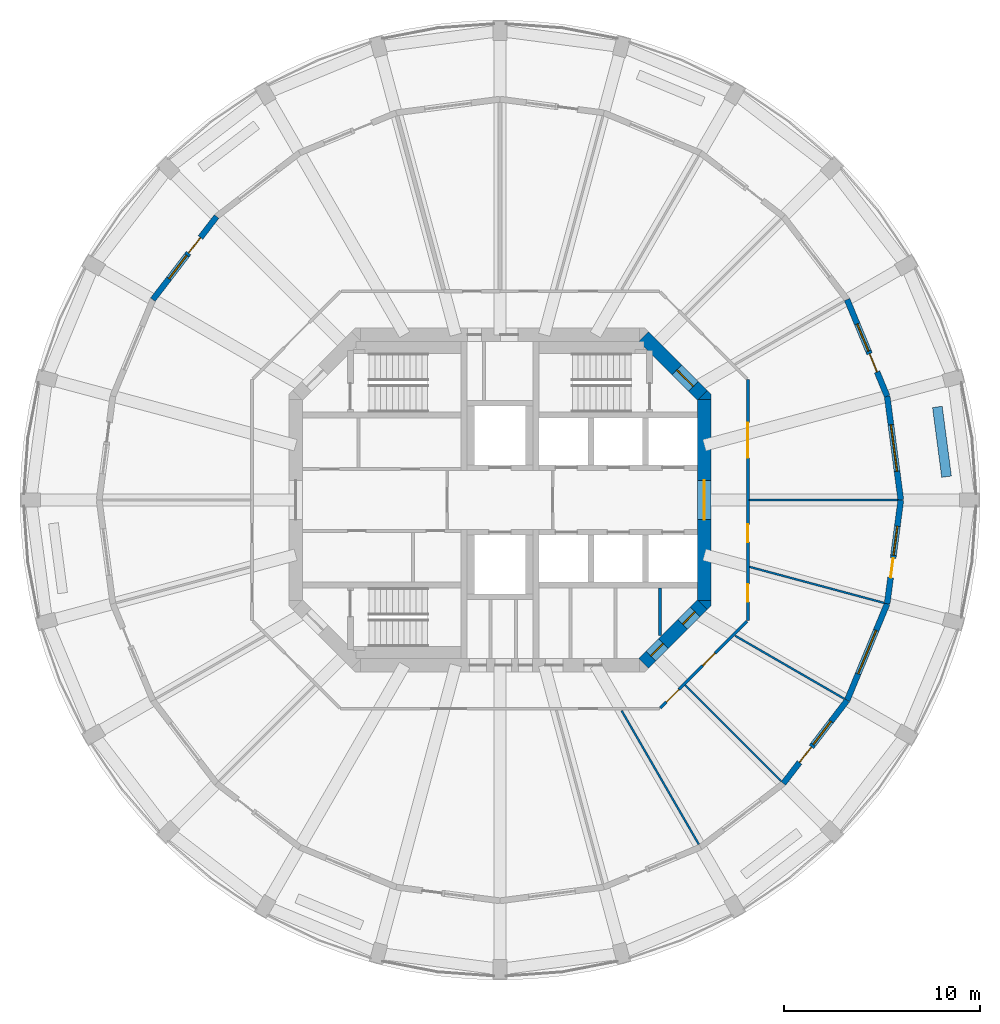
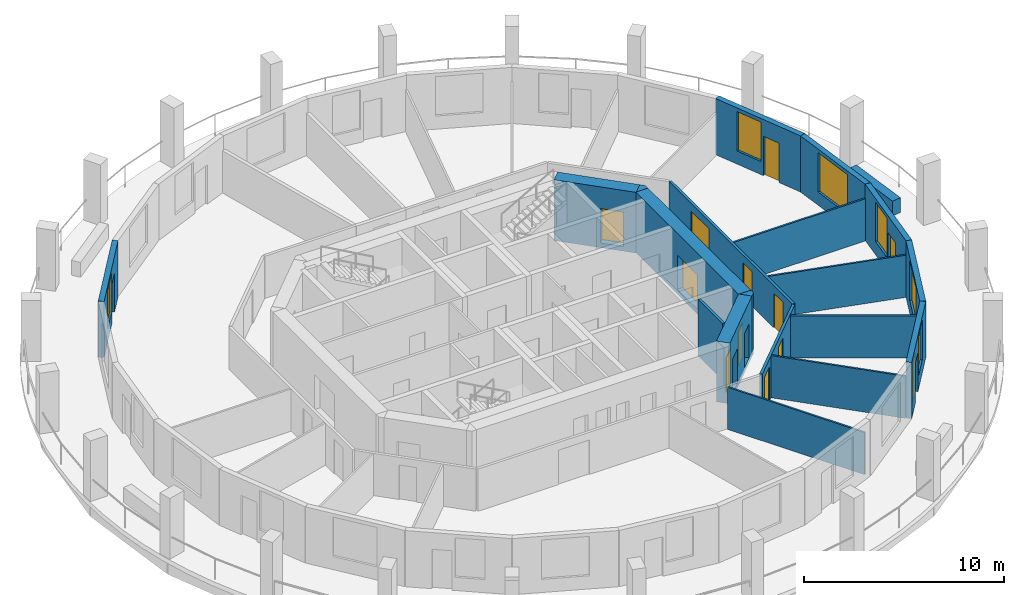
# One storey, part 5 of 9: 20 walls, 13 doors, 6 windows, 19 openings.
"""IFC4 building model written with IfcOpenShell, lengths in metres."""

from ifc_helpers import new_model, si_unit, direction, frame, frame_2d, origin, place, context, subcontext, project, spatial, polyline, rectangle, outline, extrude, material, layer, layer_set, type_object, element, fill, save


model = new_model("IFC4")

# Units and contexts
model_context = context("Model", 3, precision=1e-05, world=origin(), true_north=direction((0.0, 1.0)))
body_context = subcontext(model_context, "Body", "Model", "MODEL_VIEW")
ifc_project = project(units=[si_unit("LENGTHUNIT", "METRE"), si_unit("AREAUNIT", "SQUARE_METRE"), si_unit("VOLUMEUNIT", "CUBIC_METRE"), si_unit("PLANEANGLEUNIT", "RADIAN"), si_unit("MASSUNIT", "GRAM", prefix="KILO")], contexts=[model_context])

# Site, building, storey
site_placement = place(None, origin())
site = spatial("IfcSite", under=ifc_project, at=site_placement, CompositionType="ELEMENT")
building_placement = place(site_placement, origin())
building = spatial("IfcBuilding", under=site, at=building_placement, Name="Torre Triforio", CompositionType="ELEMENT")
storey_placement = place(building_placement, frame((0.0, 0.0, 233.5)))
storey = spatial("IfcBuildingStorey", under=building, at=storey_placement, Name="L53", CompositionType="ELEMENT", Elevation=233.5)

# Wall, opening, door
ifc_material_1 = material(Name="Concrete C50", Category="concrete")
ifc_layer_1 = layer(ifc_material_1, 0.699951171875)
ifc_layer_set_1 = layer_set([ifc_layer_1], Name="Concrete C50")
wall_type_1 = type_object("IfcWallType", Name="Core wall 700 mm C50 EI 120", PredefinedType="SHEAR", material=ifc_layer_set_1)
wall_1_placement = place(storey_placement, frame((10.449951171875, -5.1298828125, -0.280029296875), z_axis=(0.0, 0.0, 1.0), x_axis=(0.0, 1.0, 0.0)))
wall_1 = element("IfcWall", 1, at=wall_1_placement, inside=storey, type_object=wall_type_1, Name="Core wall", PredefinedType="SHEAR", context=body_context, shape_type="SweptSolid", body=[
    extrude(rectangle(XDim=10.259765625, YDim=0.699951171875, at=frame_2d((5.1298828125, 0.0))), origin(), (0.0, 0.0, 1.0), 3.699951171875),
])
opening_1_placement = place(wall_1_placement, frame((4.1298828125, 0.0, 0.280029296875)))
opening_1 = element("IfcOpeningElement", 2, at=opening_1_placement, cuts=wall_1, Name="Opening E-RING", PredefinedType="OPENING", context=body_context, shape_type="SweptSolid", body=[
    extrude(rectangle(XDim=2.0, YDim=2.10009765625, at=frame_2d((1.0, 1.050048828125))), frame((0.0, 0.35986328125, 0.0), z_axis=(0.0, -1.0, 0.0), x_axis=(1.0, 0.0, 0.0)), (0.0, 0.0, 1.0), 0.719970703125),
])
ifc_material_2 = material(Name="Hollow metal fire door leaf")
door_type_1 = type_object("IfcDoorType", Name="Lobby door 2000 x 2100 EI 60", OperationType="DOUBLE_DOOR_SINGLE_SWING", PredefinedType="DOOR", material=ifc_material_2)
door_1_placement = place(opening_1_placement, origin())
door_1 = element("IfcDoor", 3, at=door_1_placement, inside=storey, type_object=door_type_1, Name="Core door E-RING", OperationType="DOUBLE_DOOR_SINGLE_SWING", OverallHeight=2.10009765625, OverallWidth=2.0, PredefinedType="DOOR", context=body_context, shape_type="SweptSolid", body=[
    extrude(rectangle(XDim=2.0, YDim=2.10009765625, at=frame_2d((1.0, 1.050048828125))), frame((0.0, 0.02490234375, 0.0), z_axis=(0.0, -1.0, 0.0), x_axis=(1.0, 0.0, 0.0)), (0.0, 0.0, 1.0), 0.050048828125),
])
fill(opening_1, door_1)

wall_2_placement = place(storey_placement, frame((7.347412109375, 8.347412109375, -0.280029296875), z_axis=(0.0, 0.0, 1.0), x_axis=(0.707106781187, -0.707106781187, 0.0)))
wall_2 = element("IfcWall", 4, at=wall_2_placement, inside=storey, type_object=wall_type_1, Name="Core wall", PredefinedType="SHEAR", context=body_context, shape_type="SweptSolid", body=[
    extrude(rectangle(XDim=4.24267578125, YDim=0.699951171875, at=frame_2d((2.121337890625, 0.0))), origin(), (0.0, 0.0, 1.0), 3.699951171875),
])
opening_2_placement = place(wall_2_placement, frame((2.392578125, 0.0, 0.280029296875)))
opening_2 = element("IfcOpeningElement", 5, at=opening_2_placement, cuts=wall_2, Name="Opening ST2-EXIT", PredefinedType="OPENING", context=body_context, shape_type="SweptSolid", body=[
    extrude(rectangle(XDim=1.199951171875, YDim=2.10009765625, at=frame_2d((0.60009765625, 1.050048828125))), frame((0.0, 0.35986328125, 0.0), z_axis=(0.0, -1.0, 0.0), x_axis=(1.0, 0.0, 0.0)), (0.0, 0.0, 1.0), 0.719970703125),
])
door_type_2 = type_object("IfcDoorType", Name="Stair lobby door 1200 x 2100 EI 60", OperationType="NOTDEFINED", PredefinedType="DOOR", material=ifc_material_2)
door_2_placement = place(opening_2_placement, origin())
door_2 = element("IfcDoor", 6, at=door_2_placement, inside=storey, type_object=door_type_2, Name="Core door ST2-EXIT", OperationType="SINGLE_SWING_RIGHT", OverallHeight=2.10009765625, OverallWidth=1.199951171875, PredefinedType="DOOR", context=body_context, shape_type="SweptSolid", body=[
    extrude(rectangle(XDim=1.199951171875, YDim=2.10009765625, at=frame_2d((0.60009765625, 1.050048828125))), frame((0.0, 0.02490234375, 0.0), z_axis=(0.0, -1.0, 0.0), x_axis=(1.0, 0.0, 0.0)), (0.0, 0.0, 1.0), 0.050048828125),
])
fill(opening_2, door_2)

# Wall, openings, doors
wall_3_placement = place(storey_placement, frame((10.347412109375, -5.347412109375, -0.280029296875), z_axis=(0.0, 0.0, 1.0), x_axis=(-0.707106781187, -0.707106781187, 0.0)))
wall_3 = element("IfcWall", 7, at=wall_3_placement, inside=storey, type_object=wall_type_1, Name="Core wall", PredefinedType="SHEAR", context=body_context, shape_type="SweptSolid", body=[
    extrude(rectangle(XDim=4.24267578125, YDim=0.699951171875, at=frame_2d((2.121337890625, 0.0))), origin(), (0.0, 0.0, 1.0), 3.699951171875),
])
opening_3_placement = place(wall_3_placement, frame((2.82275390625, 0.0, 0.280029296875)))
opening_3 = element("IfcOpeningElement", 8, at=opening_3_placement, cuts=wall_3, Name="Opening SE-03", PredefinedType="OPENING", context=body_context, shape_type="SweptSolid", body=[
    extrude(rectangle(XDim=0.89990234375, YDim=2.10009765625, at=frame_2d((0.449951171875, 1.050048828125))), frame((0.0, 0.35986328125, 0.0), z_axis=(0.0, -1.0, 0.0), x_axis=(1.0, 0.0, 0.0)), (0.0, 0.0, 1.0), 0.719970703125),
])
opening_4_placement = place(wall_3_placement, frame((0.52001953125, 0.0, 0.280029296875)))
opening_4 = element("IfcOpeningElement", 9, at=opening_4_placement, cuts=wall_3, Name="Opening SE-04", PredefinedType="OPENING", context=body_context, shape_type="SweptSolid", body=[
    extrude(rectangle(XDim=0.89990234375, YDim=2.10009765625, at=frame_2d((0.449951171875, 1.050048828125))), frame((0.0, 0.35986328125, 0.0), z_axis=(0.0, -1.0, 0.0), x_axis=(1.0, 0.0, 0.0)), (0.0, 0.0, 1.0), 0.719970703125),
])
door_type_3 = type_object("IfcDoorType", Name="Room door 900 x 2100 EI 60", OperationType="NOTDEFINED", PredefinedType="DOOR", material=ifc_material_2)
door_3_placement = place(opening_3_placement, origin())
door_3 = element("IfcDoor", 10, at=door_3_placement, inside=storey, type_object=door_type_3, Name="Core door SE-03", OperationType="SINGLE_SWING_RIGHT", OverallHeight=2.10009765625, OverallWidth=0.89990234375, PredefinedType="DOOR", context=body_context, shape_type="SweptSolid", body=[
    extrude(rectangle(XDim=0.89990234375, YDim=2.10009765625, at=frame_2d((0.449951171875, 1.050048828125))), frame((0.0, 0.02490234375, 0.0), z_axis=(0.0, -1.0, 0.0), x_axis=(1.0, 0.0, 0.0)), (0.0, 0.0, 1.0), 0.050048828125),
])
fill(opening_3, door_3)
door_4_placement = place(opening_4_placement, origin())
door_4 = element("IfcDoor", 11, at=door_4_placement, inside=storey, type_object=door_type_3, Name="Core door SE-04", OperationType="SINGLE_SWING_LEFT", OverallHeight=2.10009765625, OverallWidth=0.89990234375, PredefinedType="DOOR", context=body_context, shape_type="SweptSolid", body=[
    extrude(rectangle(XDim=0.89990234375, YDim=2.10009765625, at=frame_2d((0.449951171875, 1.050048828125))), frame((0.0, 0.02490234375, 0.0), z_axis=(0.0, -1.0, 0.0), x_axis=(1.0, 0.0, 0.0)), (0.0, 0.0, 1.0), 0.050048828125),
])
fill(opening_4, door_4)

# Walls
wall_4_placement = place(storey_placement, frame((0.0, 0.0, -0.280029296875)))
element("IfcWall", 12, at=wall_4_placement, inside=storey, type_object=wall_type_1, Name="Core wall", PredefinedType="SHEAR", context=body_context, shape_type="SweptSolid", body=[
    extrude(outline(polyline([(10.800048828125, -5.389892578125), (10.594970703125, -5.594970703125), (10.594970703125, -5.594970703125), (10.594970703125, -5.594970703125), (10.1298828125, -5.1298828125), (10.800048828125, -5.1298828125), (10.800048828125, -5.1298828125), (10.800048828125, -5.389892578125)])), origin(), (0.0, 0.0, 1.0), 3.699951171875),
])
wall_5_placement = place(storey_placement, frame((0.0, 0.0, -0.280029296875)))
element("IfcWall", 13, at=wall_5_placement, inside=storey, type_object=wall_type_1, Name="Core wall", PredefinedType="SHEAR", context=body_context, shape_type="SweptSolid", body=[
    extrude(outline(polyline([(10.800048828125, 5.389892578125), (10.800048828125, 5.1298828125), (10.800048828125, 5.1298828125), (10.1298828125, 5.1298828125), (10.594970703125, 5.594970703125), (10.594970703125, 5.594970703125), (10.594970703125, 5.594970703125), (10.800048828125, 5.389892578125)])), origin(), (0.0, 0.0, 1.0), 3.699951171875),
])

# Wall, openings, doors
ifc_material_3 = material(Name="Plasterboard on metal studs")
ifc_layer_2 = layer(ifc_material_3, 0.14990234375)
ifc_layer_set_2 = layer_set([ifc_layer_2], Name="Plasterboard on metal studs")
wall_type_2 = type_object("IfcWallType", Name="Corridor and tenancy wall 150 mm EI 60", PredefinedType="PARTITIONING", material=ifc_layer_set_2)
wall_6_placement = place(storey_placement, frame((12.637939453125, -6.20361328125, 0.0), z_axis=(0.0, 0.0, 1.0), x_axis=(-0.707106781187, -0.707106781187, 0.0)))
wall_6 = element("IfcWall", 14, at=wall_6_placement, inside=storey, type_object=wall_type_2, Name="Partition 1", PredefinedType="PARTITIONING", context=body_context, shape_type="SweptSolid", body=[
    extrude(rectangle(XDim=6.27099609375, YDim=0.14990234375, at=frame_2d((3.135498046875, 0.0))), origin(), (0.0, 0.0, 1.0), 2.570068359375),
])
opening_5_placement = place(wall_6_placement, frame((4.935302734375, 0.0, 0.0)))
opening_5 = element("IfcOpeningElement", 15, at=opening_5_placement, cuts=wall_6, Name="Opening O7-07", PredefinedType="OPENING", context=body_context, shape_type="SweptSolid", body=[
    extrude(rectangle(XDim=0.89990234375, YDim=2.10009765625, at=frame_2d((0.449951171875, 1.050048828125))), frame((0.0, 0.0849609375, 0.0), z_axis=(0.0, -1.0, 0.0), x_axis=(1.0, 0.0, 0.0)), (0.0, 0.0, 1.0), 0.169921875),
])
opening_6_placement = place(wall_6_placement, frame((2.313720703125, 0.0, 0.0)))
opening_6 = element("IfcOpeningElement", 16, at=opening_6_placement, cuts=wall_6, Name="Opening O7-08", PredefinedType="OPENING", context=body_context, shape_type="SweptSolid", body=[
    extrude(rectangle(XDim=0.89990234375, YDim=2.10009765625, at=frame_2d((0.449951171875, 1.050048828125))), frame((0.0, 0.0849609375, 0.0), z_axis=(0.0, -1.0, 0.0), x_axis=(1.0, 0.0, 0.0)), (0.0, 0.0, 1.0), 0.169921875),
])
ifc_material_4 = material(Name="Timber", Category="wood")
door_type_4 = type_object("IfcDoorType", Name="Door 900 x 2100 single leaf EI 30", OperationType="NOTDEFINED", PredefinedType="DOOR", material=ifc_material_4)
door_5_placement = place(opening_5_placement, origin())
door_5 = element("IfcDoor", 17, at=door_5_placement, inside=storey, type_object=door_type_4, Name="Door O7-07", OperationType="SINGLE_SWING_LEFT", OverallHeight=2.10009765625, OverallWidth=0.89990234375, PredefinedType="DOOR", context=body_context, shape_type="SweptSolid", body=[
    extrude(rectangle(XDim=0.89990234375, YDim=2.10009765625, at=frame_2d((0.449951171875, 1.050048828125))), frame((0.0, 0.02490234375, 0.0), z_axis=(0.0, -1.0, 0.0), x_axis=(1.0, 0.0, 0.0)), (0.0, 0.0, 1.0), 0.050048828125),
])
fill(opening_5, door_5)
door_6_placement = place(opening_6_placement, origin())
door_6 = element("IfcDoor", 18, at=door_6_placement, inside=storey, type_object=door_type_4, Name="Door O7-08", OperationType="SINGLE_SWING_LEFT", OverallHeight=2.10009765625, OverallWidth=0.89990234375, PredefinedType="DOOR", context=body_context, shape_type="SweptSolid", body=[
    extrude(rectangle(XDim=0.89990234375, YDim=2.10009765625, at=frame_2d((0.449951171875, 1.050048828125))), frame((0.0, 0.02490234375, 0.0), z_axis=(0.0, -1.0, 0.0), x_axis=(1.0, 0.0, 0.0)), (0.0, 0.0, 1.0), 0.050048828125),
])
fill(opening_6, door_6)

wall_7_placement = place(storey_placement, frame((12.675048828125, 6.16650390625, 0.0), z_axis=(0.0, 0.0, 1.0), x_axis=(0.0, -1.0, 0.0)))
wall_7 = element("IfcWall", 19, at=wall_7_placement, inside=storey, type_object=wall_type_2, Name="Partition 10", PredefinedType="PARTITIONING", context=body_context, shape_type="SweptSolid", body=[
    extrude(rectangle(XDim=12.3330078125, YDim=0.14990234375, at=frame_2d((6.16650390625, 0.0))), origin(), (0.0, 0.0, 1.0), 2.570068359375),
])
opening_7_placement = place(wall_7_placement, frame((10.47314453125, 0.0, 0.0)))
opening_7 = element("IfcOpeningElement", 20, at=opening_7_placement, cuts=wall_7, Name="Opening O7-09", PredefinedType="OPENING", context=body_context, shape_type="SweptSolid", body=[
    extrude(rectangle(XDim=0.89990234375, YDim=2.10009765625, at=frame_2d((0.449951171875, 1.050048828125))), frame((0.0, 0.0849609375, 0.0), z_axis=(0.0, -1.0, 0.0), x_axis=(1.0, 0.0, 0.0)), (0.0, 0.0, 1.0), 0.169921875),
])
opening_8_placement = place(wall_7_placement, frame((7.41552734375, 0.0, 0.0)))
opening_8 = element("IfcOpeningElement", 21, at=opening_8_placement, cuts=wall_7, Name="Opening O7-10", PredefinedType="OPENING", context=body_context, shape_type="SweptSolid", body=[
    extrude(rectangle(XDim=0.89990234375, YDim=2.10009765625, at=frame_2d((0.449951171875, 1.050048828125))), frame((0.0, 0.0849609375, 0.0), z_axis=(0.0, -1.0, 0.0), x_axis=(1.0, 0.0, 0.0)), (0.0, 0.0, 1.0), 0.169921875),
])
opening_9_placement = place(wall_7_placement, frame((2.208251953125, 0.0, 0.0)))
opening_9 = element("IfcOpeningElement", 22, at=opening_9_placement, cuts=wall_7, Name="Opening O7-11", PredefinedType="OPENING", context=body_context, shape_type="SweptSolid", body=[
    extrude(rectangle(XDim=1.800048828125, YDim=2.10009765625, at=frame_2d((0.89990234375, 1.050048828125))), frame((0.0, 0.0849609375, 0.0), z_axis=(0.0, -1.0, 0.0), x_axis=(1.0, 0.0, 0.0)), (0.0, 0.0, 1.0), 0.169921875),
])
door_type_5 = type_object("IfcDoorType", Name="Door 1800 x 2100 double leaf EI 30", OperationType="DOUBLE_DOOR_SINGLE_SWING", PredefinedType="DOOR", material=ifc_material_4)
door_7_placement = place(opening_9_placement, origin())
door_7 = element("IfcDoor", 23, at=door_7_placement, inside=storey, type_object=door_type_5, Name="Door O7-11", OperationType="DOUBLE_DOOR_SINGLE_SWING", OverallHeight=2.10009765625, OverallWidth=1.800048828125, PredefinedType="DOOR", context=body_context, shape_type="SweptSolid", body=[
    extrude(rectangle(XDim=1.800048828125, YDim=2.10009765625, at=frame_2d((0.89990234375, 1.050048828125))), frame((0.0, 0.02490234375, 0.0), z_axis=(0.0, -1.0, 0.0), x_axis=(1.0, 0.0, 0.0)), (0.0, 0.0, 1.0), 0.050048828125),
])
fill(opening_9, door_7)
door_8_placement = place(opening_7_placement, origin())
door_8 = element("IfcDoor", 24, at=door_8_placement, inside=storey, type_object=door_type_4, Name="Door O7-09", OperationType="SINGLE_SWING_RIGHT", OverallHeight=2.10009765625, OverallWidth=0.89990234375, PredefinedType="DOOR", context=body_context, shape_type="SweptSolid", body=[
    extrude(rectangle(XDim=0.89990234375, YDim=2.10009765625, at=frame_2d((0.449951171875, 1.050048828125))), frame((0.0, 0.02490234375, 0.0), z_axis=(0.0, -1.0, 0.0), x_axis=(1.0, 0.0, 0.0)), (0.0, 0.0, 1.0), 0.050048828125),
])
fill(opening_7, door_8)
door_9_placement = place(opening_8_placement, origin())
door_9 = element("IfcDoor", 25, at=door_9_placement, inside=storey, type_object=door_type_4, Name="Door O7-10", OperationType="SINGLE_SWING_LEFT", OverallHeight=2.10009765625, OverallWidth=0.89990234375, PredefinedType="DOOR", context=body_context, shape_type="SweptSolid", body=[
    extrude(rectangle(XDim=0.89990234375, YDim=2.10009765625, at=frame_2d((0.449951171875, 1.050048828125))), frame((0.0, 0.02490234375, 0.0), z_axis=(0.0, -1.0, 0.0), x_axis=(1.0, 0.0, 0.0)), (0.0, 0.0, 1.0), 0.050048828125),
])
fill(opening_8, door_9)

# Walls
ifc_layer_3 = layer(ifc_material_3, 0.10009765625)
ifc_layer_set_3 = layer_set([ifc_layer_3], Name="Plasterboard on metal studs")
wall_type_3 = type_object("IfcWallType", Name="Partition 100 mm board on metal studs", PredefinedType="PARTITIONING", material=ifc_layer_set_3)
wall_8_placement = place(storey_placement, frame((12.75, 0.0, 0.0), z_axis=(0.0, 0.0, 1.0), x_axis=(1.0, 0.0, 0.0)))
element("IfcWall", 26, at=wall_8_placement, inside=storey, type_object=wall_type_3, Name="Partition 11", PredefinedType="PARTITIONING", context=body_context, shape_type="SweptSolid", body=[
    extrude(rectangle(XDim=7.586669921875, YDim=0.10009765625, at=frame_2d((3.79345703125, 0.0))), origin(), (0.0, 0.0, 1.0), 2.570068359375),
])
wall_9_placement = place(storey_placement, frame((6.220703125, -10.774658203125, 0.0), z_axis=(0.0, 0.0, 1.0), x_axis=(0.500016891966, -0.866015650984, 0.0)))
element("IfcWall", 27, at=wall_9_placement, inside=storey, type_object=wall_type_3, Name="Partition 23", PredefinedType="PARTITIONING", context=body_context, shape_type="SweptSolid", body=[
    extrude(rectangle(XDim=7.895263671875, YDim=0.10009765625, at=frame_2d((3.94775390625, 0.0))), origin(), (0.0, 0.0, 1.0), 2.570068359375),
])
wall_10_placement = place(storey_placement, frame((9.473876953125, -9.473876953125, 0.0), z_axis=(0.0, 0.0, 1.0), x_axis=(0.707106781187, -0.707106781187, 0.0)))
element("IfcWall", 28, at=wall_10_placement, inside=storey, type_object=wall_type_3, Name="Partition 24", PredefinedType="PARTITIONING", context=body_context, shape_type="SweptSolid", body=[
    extrude(rectangle(XDim=6.9384765625, YDim=0.10009765625, at=frame_2d((3.46923828125, 0.0))), origin(), (0.0, 0.0, 1.0), 2.570068359375),
])
wall_11_placement = place(storey_placement, frame((12.025146484375, -6.94287109375, 0.0), z_axis=(0.0, 0.0, 1.0), x_axis=(0.866026773083, -0.499997628298, 0.0)))
element("IfcWall", 29, at=wall_11_placement, inside=storey, type_object=wall_type_3, Name="Partition 25", PredefinedType="PARTITIONING", context=body_context, shape_type="SweptSolid", body=[
    extrude(rectangle(XDim=6.451171875, YDim=0.10009765625, at=frame_2d((3.2255859375, 0.0))), origin(), (0.0, 0.0, 1.0), 2.570068359375),
])
wall_12_placement = place(storey_placement, frame((12.764404296875, -3.420166015625, 0.0), z_axis=(0.0, 0.0, 1.0), x_axis=(0.965928160208, -0.258810334643, 0.0)))
element("IfcWall", 30, at=wall_12_placement, inside=storey, type_object=wall_type_3, Name="Partition 26", PredefinedType="PARTITIONING", context=body_context, shape_type="SweptSolid", body=[
    extrude(rectangle(XDim=7.1220703125, YDim=0.10009765625, at=frame_2d((3.56103515625, 0.0))), origin(), (0.0, 0.0, 1.0), 2.570068359375),
])
ifc_material_5 = material(Name="Block and board partition")
ifc_layer_4 = layer(ifc_material_5, 0.14990234375)
ifc_layer_set_4 = layer_set([ifc_layer_4], Name="Block and board partition")
wall_type_4 = type_object("IfcWallType", Name="Partition 150 mm", PredefinedType="PARTITIONING", material=ifc_layer_set_4)
wall_13_placement = place(storey_placement, frame((8.18896484375, -6.93603515625, 0.0), z_axis=(0.0, 0.0, 1.0), x_axis=(0.0, 1.0, 0.0)))
element("IfcWall", 31, at=wall_13_placement, inside=storey, type_object=wall_type_4, Name="Partition", PredefinedType="PARTITIONING", context=body_context, shape_type="SweptSolid", body=[
    extrude(rectangle(XDim=2.43603515625, YDim=0.14990234375, at=frame_2d((1.218017578125, 0.0))), origin(), (0.0, 0.0, 1.0), 3.419921875),
])
ifc_material_6 = material(Name="Limestone cladding", Category="masonry")
ifc_layer_5 = layer(ifc_material_6, 0.10009765625)
ifc_material_7 = material(Name="Concrete C40", Category="concrete")
ifc_layer_6 = layer(ifc_material_7, 0.39990234375)
ifc_layer_set_5 = layer_set([ifc_layer_5, ifc_layer_6], Name="Limestone cladding / Concrete C40")
wall_type_5 = type_object("IfcWallType", Name="Planter wall 500", PredefinedType="PARAPET", material=ifc_layer_set_5)
wall_14_placement = place(storey_placement, frame((22.83984375, 1.19140625, 0.0), z_axis=(0.0, 0.0, 1.0), x_axis=(-0.130484336385, 0.9914503709, 0.0)))
element("IfcWall", 32, at=wall_14_placement, inside=storey, type_object=wall_type_5, Name="Planter L53 bay 01", PredefinedType="PARAPET", context=body_context, shape_type="SweptSolid", body=[
    extrude(rectangle(XDim=3.599853515625, YDim=0.5, at=frame_2d((1.7998046875, 0.0))), origin(), (0.0, 0.0, 1.0), 0.89990234375),
])

# Wall, opening, window
ifc_layer_7 = layer(ifc_material_6, 0.10009765625)
ifc_layer_8 = layer(ifc_material_7, 0.199951171875)
ifc_layer_set_6 = layer_set([ifc_layer_7, ifc_layer_8], Name="Limestone cladding / Concrete C40")
wall_type_6 = type_object("IfcWallType", Name="Stone-faced composite wall 300", PredefinedType="STANDARD", material=ifc_layer_set_6)
wall_15_placement = place(storey_placement, frame((20.5, 0.0, 0.0), z_axis=(0.0, 0.0, 1.0), x_axis=(-0.130517056518, 0.991446064069, 0.0)))
wall_15 = element("IfcWall", 33, at=wall_15_placement, inside=storey, type_object=wall_type_6, Name="External wall L53 bay 01", PredefinedType="STANDARD", context=body_context, shape_type="SweptSolid", body=[
    extrude(rectangle(XDim=5.351806640625, YDim=0.300048828125, at=frame_2d((2.67578125, 0.0))), origin(), (0.0, 0.0, 1.0), 3.419921875),
])
opening_10_placement = place(wall_15_placement, frame((1.475830078125, 0.0, 0.800048828125)))
opening_10 = element("IfcOpeningElement", 34, at=opening_10_placement, cuts=wall_15, Name="Opening O7-W01", PredefinedType="OPENING", context=body_context, shape_type="SweptSolid", body=[
    extrude(rectangle(XDim=2.39990234375, YDim=2.39990234375, at=frame_2d((1.199951171875, 1.199951171875))), frame((0.0, 0.159912109375, 0.0), z_axis=(0.0, -1.0, 0.0), x_axis=(1.0, 0.0, 0.0)), (0.0, 0.0, 1.0), 0.320068359375),
])
ifc_material_8 = material(Name="Aluminium frame with clear double glazing", Category="aluminium")
window_type_1 = type_object("IfcWindowType", Name="Punched window 2400 x 2400", PartitioningType="DOUBLE_PANEL_VERTICAL", PredefinedType="WINDOW", material=ifc_material_8)
window_1_placement = place(opening_10_placement, origin())
window_1 = element("IfcWindow", 35, at=window_1_placement, inside=storey, type_object=window_type_1, Name="Window EWN4 L53 bay 01", OverallHeight=2.39990234375, OverallWidth=2.39990234375, PartitioningType="SINGLE_PANEL", PredefinedType="WINDOW", context=body_context, shape_type="SweptSolid", body=[
    extrude(rectangle(XDim=2.39990234375, YDim=2.39990234375, at=frame_2d((1.199951171875, 1.199951171875))), frame((0.0, 0.030029296875, 0.0), z_axis=(0.0, -1.0, 0.0), x_axis=(1.0, 0.0, 0.0)), (0.0, 0.0, 1.0), 0.06005859375),
])
fill(opening_10, window_1)

# Wall, openings, door, window
wall_16_placement = place(storey_placement, frame((19.801513671875, 5.305908203125, 0.0), z_axis=(0.0, 0.0, 1.0), x_axis=(-0.382713071139, 0.923867255172, 0.0)))
wall_16 = element("IfcWall", 36, at=wall_16_placement, inside=storey, type_object=wall_type_6, Name="External wall L53 bay 02", PredefinedType="STANDARD", context=body_context, shape_type="SweptSolid", body=[
    extrude(rectangle(XDim=5.3515625, YDim=0.300048828125, at=frame_2d((2.67578125, 0.0))), origin(), (0.0, 0.0, 1.0), 3.419921875),
])
opening_11_placement = place(wall_16_placement, frame((1.350830078125, 0.0, 0.0)))
opening_11 = element("IfcOpeningElement", 37, at=opening_11_placement, cuts=wall_16, Name="Opening O7-D02", PredefinedType="OPENING", context=body_context, shape_type="SweptSolid", body=[
    extrude(rectangle(XDim=1.0, YDim=2.39990234375, at=frame_2d((0.5, 1.199951171875))), frame((0.0, 0.159912109375, 0.0), z_axis=(0.0, -1.0, 0.0), x_axis=(1.0, 0.0, 0.0)), (0.0, 0.0, 1.0), 0.320068359375),
])
opening_12_placement = place(wall_16_placement, frame((2.500732421875, 0.0, 0.800048828125)))
opening_12 = element("IfcOpeningElement", 38, at=opening_12_placement, cuts=wall_16, Name="Opening O7-W02A", PredefinedType="OPENING", context=body_context, shape_type="SweptSolid", body=[
    extrude(rectangle(XDim=1.5, YDim=2.39990234375, at=frame_2d((0.75, 1.199951171875))), frame((0.0, 0.159912109375, 0.0), z_axis=(0.0, -1.0, 0.0), x_axis=(1.0, 0.0, 0.0)), (0.0, 0.0, 1.0), 0.320068359375),
])
door_type_6 = type_object("IfcDoorType", Name="Loggia door 1000 x 2400", OperationType="NOTDEFINED", PredefinedType="DOOR", material=ifc_material_8)
door_10_placement = place(opening_11_placement, origin())
door_10 = element("IfcDoor", 39, at=door_10_placement, inside=storey, type_object=door_type_6, Name="Loggia door L53 bay 02", OperationType="SINGLE_SWING_LEFT", OverallHeight=2.39990234375, OverallWidth=1.0, PredefinedType="DOOR", context=body_context, shape_type="SweptSolid", body=[
    extrude(rectangle(XDim=1.0, YDim=2.39990234375, at=frame_2d((0.5, 1.199951171875))), frame((0.0, 0.02490234375, 0.0), z_axis=(0.0, -1.0, 0.0), x_axis=(1.0, 0.0, 0.0)), (0.0, 0.0, 1.0), 0.050048828125),
])
fill(opening_11, door_10)
window_type_2 = type_object("IfcWindowType", Name="Side window 1500 x 2400", PartitioningType="SINGLE_PANEL", PredefinedType="WINDOW", material=ifc_material_8)
window_2_placement = place(opening_12_placement, origin())
window_2 = element("IfcWindow", 40, at=window_2_placement, inside=storey, type_object=window_type_2, Name="Side window EWN14 L53 bay 02", OverallHeight=2.39990234375, OverallWidth=1.5, PartitioningType="SINGLE_PANEL", PredefinedType="WINDOW", context=body_context, shape_type="SweptSolid", body=[
    extrude(rectangle(XDim=1.5, YDim=2.39990234375, at=frame_2d((0.75, 1.199951171875))), frame((0.0, 0.030029296875, 0.0), z_axis=(0.0, -1.0, 0.0), x_axis=(1.0, 0.0, 0.0)), (0.0, 0.0, 1.0), 0.06005859375),
])
fill(opening_12, window_2)

wall_17_placement = place(storey_placement, frame((-14.49560546875, 14.49560546875, 0.0), z_axis=(0.0, 0.0, 1.0), x_axis=(-0.60876670321, -0.793349293227, 0.0)))
wall_17 = element("IfcWall", 41, at=wall_17_placement, inside=storey, type_object=wall_type_6, Name="External wall L53 bay 10", PredefinedType="STANDARD", context=body_context, shape_type="SweptSolid", body=[
    extrude(rectangle(XDim=5.3515625, YDim=0.300048828125, at=frame_2d((2.67578125, 0.0))), origin(), (0.0, 0.0, 1.0), 3.419921875),
])
opening_13_placement = place(wall_17_placement, frame((1.350830078125, 0.0, 0.0)))
opening_13 = element("IfcOpeningElement", 42, at=opening_13_placement, cuts=wall_17, Name="Opening O7-D10", PredefinedType="OPENING", context=body_context, shape_type="SweptSolid", body=[
    extrude(rectangle(XDim=1.0, YDim=2.39990234375, at=frame_2d((0.5, 1.199951171875))), frame((0.0, 0.159912109375, 0.0), z_axis=(0.0, -1.0, 0.0), x_axis=(1.0, 0.0, 0.0)), (0.0, 0.0, 1.0), 0.320068359375),
])
opening_14_placement = place(wall_17_placement, frame((2.500732421875, 0.0, 0.800048828125)))
opening_14 = element("IfcOpeningElement", 43, at=opening_14_placement, cuts=wall_17, Name="Opening O7-W10A", PredefinedType="OPENING", context=body_context, shape_type="SweptSolid", body=[
    extrude(rectangle(XDim=1.5, YDim=2.39990234375, at=frame_2d((0.75, 1.199951171875))), frame((0.0, 0.159912109375, 0.0), z_axis=(0.0, -1.0, 0.0), x_axis=(1.0, 0.0, 0.0)), (0.0, 0.0, 1.0), 0.320068359375),
])
door_11_placement = place(opening_13_placement, origin())
door_11 = element("IfcDoor", 44, at=door_11_placement, inside=storey, type_object=door_type_6, Name="Loggia door L53 bay 10", OperationType="SINGLE_SWING_LEFT", OverallHeight=2.39990234375, OverallWidth=1.0, PredefinedType="DOOR", context=body_context, shape_type="SweptSolid", body=[
    extrude(rectangle(XDim=1.0, YDim=2.39990234375, at=frame_2d((0.5, 1.199951171875))), frame((0.0, 0.02490234375, 0.0), z_axis=(0.0, -1.0, 0.0), x_axis=(1.0, 0.0, 0.0)), (0.0, 0.0, 1.0), 0.050048828125),
])
fill(opening_13, door_11)
window_3_placement = place(opening_14_placement, origin())
window_3 = element("IfcWindow", 45, at=window_3_placement, inside=storey, type_object=window_type_2, Name="Side window EWN14 L53 bay 10", OverallHeight=2.39990234375, OverallWidth=1.5, PartitioningType="SINGLE_PANEL", PredefinedType="WINDOW", context=body_context, shape_type="SweptSolid", body=[
    extrude(rectangle(XDim=1.5, YDim=2.39990234375, at=frame_2d((0.75, 1.199951171875))), frame((0.0, 0.030029296875, 0.0), z_axis=(0.0, -1.0, 0.0), x_axis=(1.0, 0.0, 0.0)), (0.0, 0.0, 1.0), 0.06005859375),
])
fill(opening_14, window_3)

wall_18_placement = place(storey_placement, frame((14.49560546875, -14.49560546875, 0.0), z_axis=(0.0, 0.0, 1.0), x_axis=(0.60876670321, 0.793349293227, 0.0)))
wall_18 = element("IfcWall", 46, at=wall_18_placement, inside=storey, type_object=wall_type_6, Name="External wall L53 bay 22", PredefinedType="STANDARD", context=body_context, shape_type="SweptSolid", body=[
    extrude(rectangle(XDim=5.3515625, YDim=0.300048828125, at=frame_2d((2.67578125, 0.0))), origin(), (0.0, 0.0, 1.0), 3.419921875),
])
opening_15_placement = place(wall_18_placement, frame((1.350830078125, 0.0, 0.0)))
opening_15 = element("IfcOpeningElement", 47, at=opening_15_placement, cuts=wall_18, Name="Opening O7-D22", PredefinedType="OPENING", context=body_context, shape_type="SweptSolid", body=[
    extrude(rectangle(XDim=1.0, YDim=2.39990234375, at=frame_2d((0.5, 1.199951171875))), frame((0.0, 0.159912109375, 0.0), z_axis=(0.0, -1.0, 0.0), x_axis=(1.0, 0.0, 0.0)), (0.0, 0.0, 1.0), 0.320068359375),
])
opening_16_placement = place(wall_18_placement, frame((2.500732421875, 0.0, 0.800048828125)))
opening_16 = element("IfcOpeningElement", 48, at=opening_16_placement, cuts=wall_18, Name="Opening O7-W22A", PredefinedType="OPENING", context=body_context, shape_type="SweptSolid", body=[
    extrude(rectangle(XDim=1.5, YDim=2.39990234375, at=frame_2d((0.75, 1.199951171875))), frame((0.0, 0.159912109375, 0.0), z_axis=(0.0, -1.0, 0.0), x_axis=(1.0, 0.0, 0.0)), (0.0, 0.0, 1.0), 0.320068359375),
])
door_12_placement = place(opening_15_placement, origin())
door_12 = element("IfcDoor", 49, at=door_12_placement, inside=storey, type_object=door_type_6, Name="Loggia door L53 bay 22", OperationType="SINGLE_SWING_LEFT", OverallHeight=2.39990234375, OverallWidth=1.0, PredefinedType="DOOR", context=body_context, shape_type="SweptSolid", body=[
    extrude(rectangle(XDim=1.0, YDim=2.39990234375, at=frame_2d((0.5, 1.199951171875))), frame((0.0, 0.02490234375, 0.0), z_axis=(0.0, -1.0, 0.0), x_axis=(1.0, 0.0, 0.0)), (0.0, 0.0, 1.0), 0.050048828125),
])
fill(opening_15, door_12)
window_4_placement = place(opening_16_placement, origin())
window_4 = element("IfcWindow", 50, at=window_4_placement, inside=storey, type_object=window_type_2, Name="Side window EWN14 L53 bay 22", OverallHeight=2.39990234375, OverallWidth=1.5, PartitioningType="SINGLE_PANEL", PredefinedType="WINDOW", context=body_context, shape_type="SweptSolid", body=[
    extrude(rectangle(XDim=1.5, YDim=2.39990234375, at=frame_2d((0.75, 1.199951171875))), frame((0.0, 0.030029296875, 0.0), z_axis=(0.0, -1.0, 0.0), x_axis=(1.0, 0.0, 0.0)), (0.0, 0.0, 1.0), 0.06005859375),
])
fill(opening_16, window_4)

# Wall, opening, window
wall_19_placement = place(storey_placement, frame((17.75341796875, -10.25, 0.0), z_axis=(0.0, 0.0, 1.0), x_axis=(0.382713071139, 0.923867255172, 0.0)))
wall_19 = element("IfcWall", 51, at=wall_19_placement, inside=storey, type_object=wall_type_6, Name="External wall L53 bay 23", PredefinedType="STANDARD", context=body_context, shape_type="SweptSolid", body=[
    extrude(rectangle(XDim=5.3515625, YDim=0.300048828125, at=frame_2d((2.67578125, 0.0))), origin(), (0.0, 0.0, 1.0), 3.419921875),
])
opening_17_placement = place(wall_19_placement, frame((1.475830078125, 0.0, 0.800048828125)))
opening_17 = element("IfcOpeningElement", 52, at=opening_17_placement, cuts=wall_19, Name="Opening O7-W23", PredefinedType="OPENING", context=body_context, shape_type="SweptSolid", body=[
    extrude(rectangle(XDim=2.39990234375, YDim=2.39990234375, at=frame_2d((1.199951171875, 1.199951171875))), frame((0.0, 0.159912109375, 0.0), z_axis=(0.0, -1.0, 0.0), x_axis=(1.0, 0.0, 0.0)), (0.0, 0.0, 1.0), 0.320068359375),
])
window_5_placement = place(opening_17_placement, origin())
window_5 = element("IfcWindow", 53, at=window_5_placement, inside=storey, type_object=window_type_1, Name="Window EWN4 L53 bay 23", OverallHeight=2.39990234375, OverallWidth=2.39990234375, PartitioningType="SINGLE_PANEL", PredefinedType="WINDOW", context=body_context, shape_type="SweptSolid", body=[
    extrude(rectangle(XDim=2.39990234375, YDim=2.39990234375, at=frame_2d((1.199951171875, 1.199951171875))), frame((0.0, 0.030029296875, 0.0), z_axis=(0.0, -1.0, 0.0), x_axis=(1.0, 0.0, 0.0)), (0.0, 0.0, 1.0), 0.06005859375),
])
fill(opening_17, window_5)

# Wall, openings, door, window
wall_20_placement = place(storey_placement, frame((19.801513671875, -5.305908203125, 0.0), z_axis=(0.0, 0.0, 1.0), x_axis=(0.130517056518, 0.991446064069, 0.0)))
wall_20 = element("IfcWall", 54, at=wall_20_placement, inside=storey, type_object=wall_type_6, Name="External wall L53 bay 24", PredefinedType="STANDARD", context=body_context, shape_type="SweptSolid", body=[
    extrude(rectangle(XDim=5.351806640625, YDim=0.300048828125, at=frame_2d((2.67578125, 0.0))), origin(), (0.0, 0.0, 1.0), 3.419921875),
])
opening_18_placement = place(wall_20_placement, frame((1.350830078125, 0.0, 0.0)))
opening_18 = element("IfcOpeningElement", 55, at=opening_18_placement, cuts=wall_20, Name="Opening O7-D24", PredefinedType="OPENING", context=body_context, shape_type="SweptSolid", body=[
    extrude(rectangle(XDim=1.0, YDim=2.39990234375, at=frame_2d((0.5, 1.199951171875))), frame((0.0, 0.159912109375, 0.0), z_axis=(0.0, -1.0, 0.0), x_axis=(1.0, 0.0, 0.0)), (0.0, 0.0, 1.0), 0.320068359375),
])
opening_19_placement = place(wall_20_placement, frame((2.500732421875, 0.0, 0.800048828125)))
opening_19 = element("IfcOpeningElement", 56, at=opening_19_placement, cuts=wall_20, Name="Opening O7-W24A", PredefinedType="OPENING", context=body_context, shape_type="SweptSolid", body=[
    extrude(rectangle(XDim=1.5, YDim=2.39990234375, at=frame_2d((0.75, 1.199951171875))), frame((0.0, 0.159912109375, 0.0), z_axis=(0.0, -1.0, 0.0), x_axis=(1.0, 0.0, 0.0)), (0.0, 0.0, 1.0), 0.320068359375),
])
door_13_placement = place(opening_18_placement, origin())
door_13 = element("IfcDoor", 57, at=door_13_placement, inside=storey, type_object=door_type_6, Name="Loggia door L53 bay 24", OperationType="SINGLE_SWING_LEFT", OverallHeight=2.39990234375, OverallWidth=1.0, PredefinedType="DOOR", context=body_context, shape_type="SweptSolid", body=[
    extrude(rectangle(XDim=1.0, YDim=2.39990234375, at=frame_2d((0.5, 1.199951171875))), frame((0.0, 0.02490234375, 0.0), z_axis=(0.0, -1.0, 0.0), x_axis=(1.0, 0.0, 0.0)), (0.0, 0.0, 1.0), 0.050048828125),
])
fill(opening_18, door_13)
window_6_placement = place(opening_19_placement, origin())
window_6 = element("IfcWindow", 58, at=window_6_placement, inside=storey, type_object=window_type_2, Name="Side window EWN14 L53 bay 24", OverallHeight=2.39990234375, OverallWidth=1.5, PartitioningType="SINGLE_PANEL", PredefinedType="WINDOW", context=body_context, shape_type="SweptSolid", body=[
    extrude(rectangle(XDim=1.5, YDim=2.39990234375, at=frame_2d((0.75, 1.199951171875))), frame((0.0, 0.030029296875, 0.0), z_axis=(0.0, -1.0, 0.0), x_axis=(1.0, 0.0, 0.0)), (0.0, 0.0, 1.0), 0.06005859375),
])
fill(opening_19, window_6)

save(model, "model.ifc")
